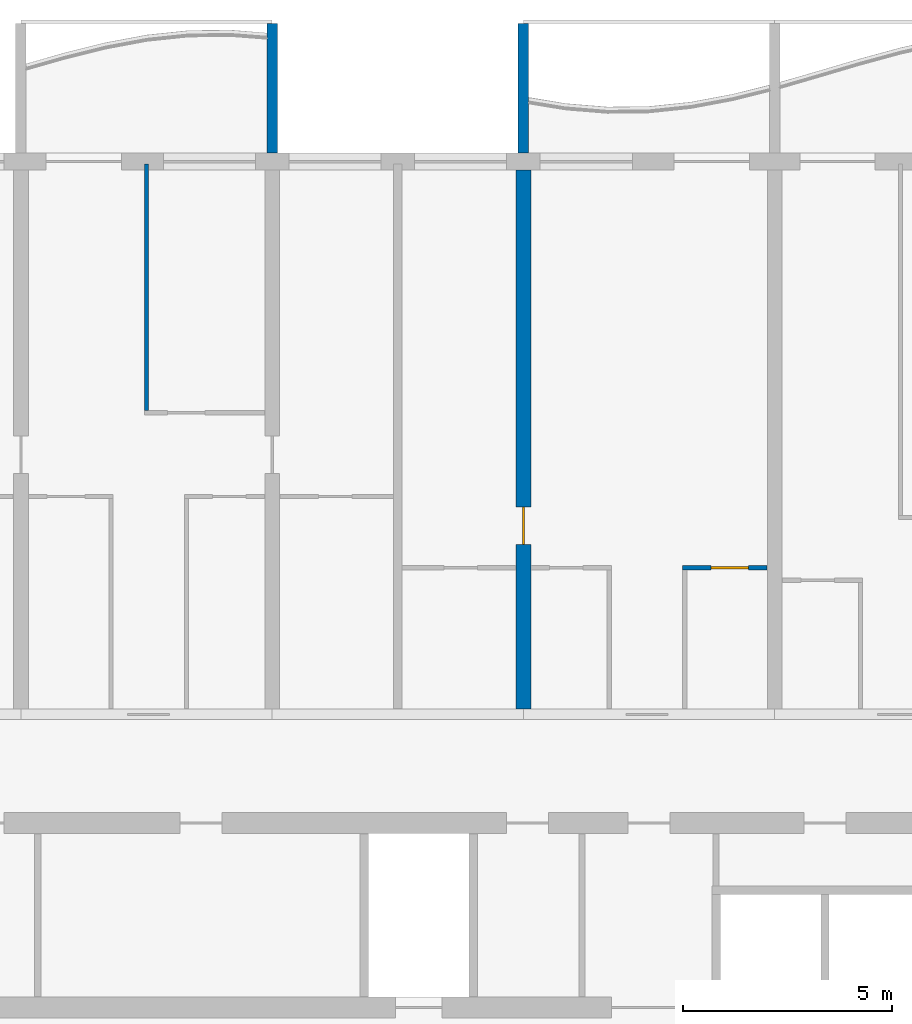
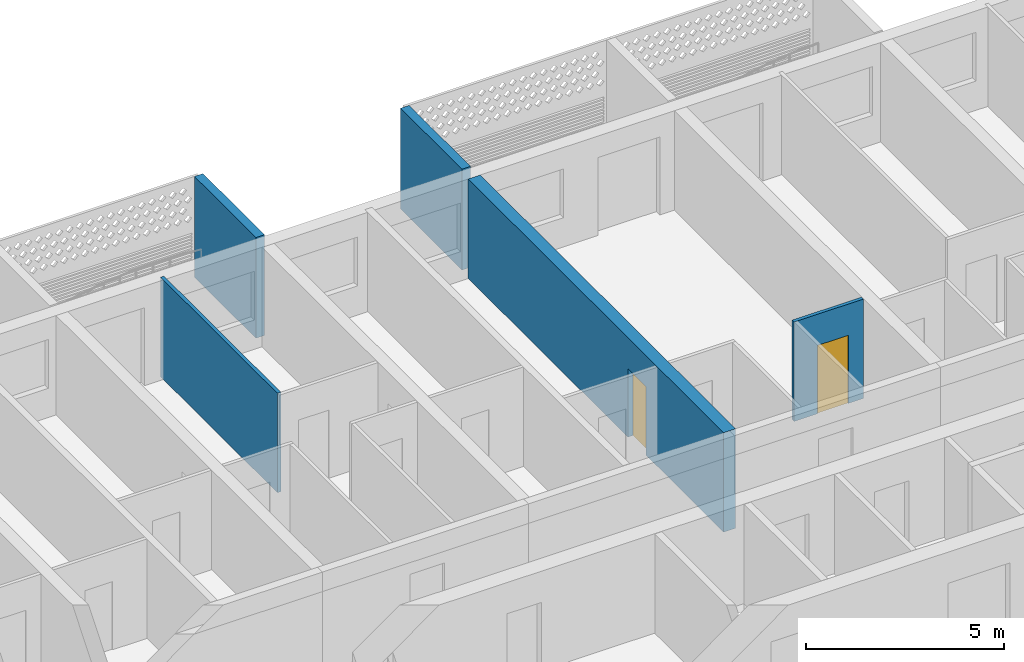
# One storey, part 11 of 27: 5 walls, 2 doors, 2 openings.
"""IFC4 building model written with IfcOpenShell, lengths in metres."""

from ifc_helpers import new_model, si_unit, direction, frame, frame_2d, origin, place, context, subcontext, project, spatial, polyline, rectangle, outline, extrude, source, transform, mapped, material, layer, layer_set, type_object, element, fill, save


model = new_model("IFC4")

# Units and contexts
model_context = context("Model", 3, precision=1e-05, world=origin(), true_north=direction((0.0, 1.0)))
body_context = subcontext(model_context, "Body", "Model", "MODEL_VIEW")
ifc_project = project(units=[si_unit("LENGTHUNIT", "METRE"), si_unit("AREAUNIT", "SQUARE_METRE"), si_unit("VOLUMEUNIT", "CUBIC_METRE"), si_unit("PLANEANGLEUNIT", "RADIAN"), si_unit("MASSUNIT", "GRAM", prefix="KILO")], contexts=[model_context])

# Site, building, storey
site_placement = place(None, origin())
site = spatial("IfcSite", under=ifc_project, at=site_placement, CompositionType="ELEMENT")
building_placement = place(site_placement, origin())
building = spatial("IfcBuilding", under=site, at=building_placement, Name="Poui Terraces", CompositionType="ELEMENT")
storey_placement = place(building_placement, frame((0.0, 0.0, 92.699951171875)))
storey = spatial("IfcBuildingStorey", under=building, at=storey_placement, Name="L25", CompositionType="ELEMENT", Elevation=92.699951171875)

# Wall, opening, door
ifc_material_1 = material(Name="Concrete 65 MPa", Category="concrete")
ifc_layer_1 = layer(ifc_material_1, 0.35009765625)
ifc_layer_set_1 = layer_set([ifc_layer_1], Name="Concrete 65 MPa")
wall_type_1 = type_object("IfcWallType", Name="CROSS WALL 350 65MPa", PredefinedType="SHEAR", material=ifc_layer_set_1)
wall_1_placement = place(storey_placement, frame((48.0, 30.52490234375, 0.0), z_axis=(0.0, 0.0, 1.0), x_axis=(0.0, 1.0, 0.0)))
wall_1 = element("IfcWall", 1, at=wall_1_placement, inside=storey, type_object=wall_type_1, Name="CROSS WALL LINE 9 NORTH", PredefinedType="SHEAR", context=body_context, shape_type="SweptSolid", body=[
    extrude(rectangle(XDim=12.875, YDim=0.35009765625, at=frame_2d((6.4375, 0.0))), origin(), (0.0, 0.0, 1.0), 3.06005859375),
])
opening_1_placement = place(wall_1_placement, frame((3.925048828125, 0.0, 0.0)))
opening_1 = element("IfcOpeningElement", 2, at=opening_1_placement, cuts=wall_1, Name="Opening D90", PredefinedType="OPENING", context=body_context, shape_type="SweptSolid", body=[
    extrude(rectangle(XDim=0.89990234375, YDim=2.10009765625, at=frame_2d((0.449951171875, 1.050048828125))), frame((0.0, 0.18505859375, 0.0), z_axis=(0.0, -1.0, 0.0), x_axis=(1.0, 0.0, 0.0)), (0.0, 0.0, 1.0), 0.3701171875),
])
ifc_material_2 = material(Name="Solid core timber door", Category="wood")
door_type = type_object("IfcDoorType", Name="INTERNAL DOOR 900 X 2100", OperationType="NOTDEFINED", PredefinedType="DOOR", material=ifc_material_2)
door_1_placement = place(opening_1_placement, origin())
door_1 = element("IfcDoor", 3, at=door_1_placement, inside=storey, type_object=door_type, Name="INTERNAL DOOR 054", OperationType="SINGLE_SWING_LEFT", OverallHeight=2.10009765625, OverallWidth=0.89990234375, PredefinedType="DOOR", context=body_context, shape_type="SweptSolid", body=[
    extrude(rectangle(XDim=0.89990234375, YDim=2.10009765625, at=frame_2d((0.449951171875, 1.050048828125))), frame((0.0, 0.02490234375, 0.0), z_axis=(0.0, -1.0, 0.0), x_axis=(1.0, 0.0, 0.0)), (0.0, 0.0, 1.0), 0.050048828125),
])
fill(opening_1, door_1)

ifc_material_3 = material(Name="Plasterboard partition")
ifc_layer_2 = layer(ifc_material_3, 0.10009765625)
ifc_layer_set_2 = layer_set([ifc_layer_2], Name="Plasterboard partition")
wall_type_2 = type_object("IfcWallType", Name="FLAT PARTITION 100", PredefinedType="PARTITIONING", material=ifc_layer_set_2)
wall_2_placement = place(storey_placement, frame((51.800048828125, 33.89990234375, 0.0), z_axis=(0.0, 0.0, 1.0), x_axis=(1.0, 0.0, 0.0)))
wall_2 = element("IfcWall", 4, at=wall_2_placement, inside=storey, type_object=wall_type_2, Name="FLAT PARTITION 100", PredefinedType="PARTITIONING", context=body_context, shape_type="SweptSolid", body=[
    extrude(rectangle(XDim=2.014892578125, YDim=0.10009765625, at=frame_2d((1.00732421875, 0.0))), origin(), (0.0, 0.0, 1.0), 3.06005859375),
])
opening_2_placement = place(wall_2_placement, frame((0.675048828125, 0.0, 0.0)))
opening_2 = element("IfcOpeningElement", 5, at=opening_2_placement, cuts=wall_2, Name="Opening D90", PredefinedType="OPENING", context=body_context, shape_type="SweptSolid", body=[
    extrude(rectangle(XDim=0.89990234375, YDim=2.10009765625, at=frame_2d((0.449951171875, 1.050048828125))), frame((0.0, 0.06005859375, 0.0), z_axis=(0.0, -1.0, 0.0), x_axis=(1.0, 0.0, 0.0)), (0.0, 0.0, 1.0), 0.1201171875),
])
door_2_placement = place(opening_2_placement, frame((0.89990234375, 0.0, 0.0), z_axis=(0.0, 0.0, 1.0), x_axis=(-1.0, 0.0, 0.0)))
door_2 = element("IfcDoor", 6, at=door_2_placement, inside=storey, type_object=door_type, Name="INTERNAL DOOR 057", OperationType="SINGLE_SWING_RIGHT", OverallHeight=2.10009765625, OverallWidth=0.89990234375, PredefinedType="DOOR", context=body_context, shape_type="SweptSolid", body=[
    extrude(rectangle(XDim=0.89990234375, YDim=2.10009765625, at=frame_2d((0.449951171875, 1.050048828125))), frame((0.0, 0.02490234375, 0.0), z_axis=(0.0, -1.0, 0.0), x_axis=(1.0, 0.0, 0.0)), (0.0, 0.0, 1.0), 0.050048828125),
])
fill(opening_2, door_2)

# Walls
wall_3_placement = place(storey_placement, frame((39.0, 37.64990234375, 0.0), z_axis=(0.0, 0.0, 1.0), x_axis=(0.0, 1.0, 0.0)))
element("IfcWall", 7, at=wall_3_placement, inside=storey, type_object=wall_type_2, Name="FLAT PARTITION 100", PredefinedType="PARTITIONING", context=body_context, shape_type="SweptSolid", body=[
    extrude(rectangle(XDim=5.89013671875, YDim=0.10009765625, at=frame_2d((2.945068359375, 0.0))), origin(), (0.0, 0.0, 1.0), 3.06005859375),
])
ifc_material_4 = material(Name="Precast concrete 40 MPa", Category="concrete")
ifc_layer_3 = layer(ifc_material_4, 0.25)
ifc_layer_set_3 = layer_set([ifc_layer_3], Name="Precast concrete 40 MPa")
wall_type_3 = type_object("IfcWallType", Name="BALCONY FIN 250", PredefinedType="STANDARD", material=ifc_layer_set_3)
shared_shape = source(origin(), body_context, "Body", "SweptSolid", [
    extrude(outline(polyline([(0.0, 0.0), (0.25, 0.0), (0.25, 3.099853515625), (0.0, 3.099853515625), (0.0, 0.0)])), origin(), (0.0, 0.0, 1.0), 3.10009765625),
])
for number, where, name in (
    (8, (41.875, 43.800048828125, 0.0), "BALCONY FIN"),
    (9, (47.875, 43.800048828125, 0.0), "BALCONY FIN"),
):
    element("IfcWall", number, at=place(storey_placement, frame(where)), inside=storey, type_object=wall_type_3, Name=name, PredefinedType="STANDARD", context=body_context, shape_type="MappedRepresentation", body=[
        mapped(shared_shape, transform((0.0, 0.0, 0.0))),
    ])

save(model, "model.ifc")
